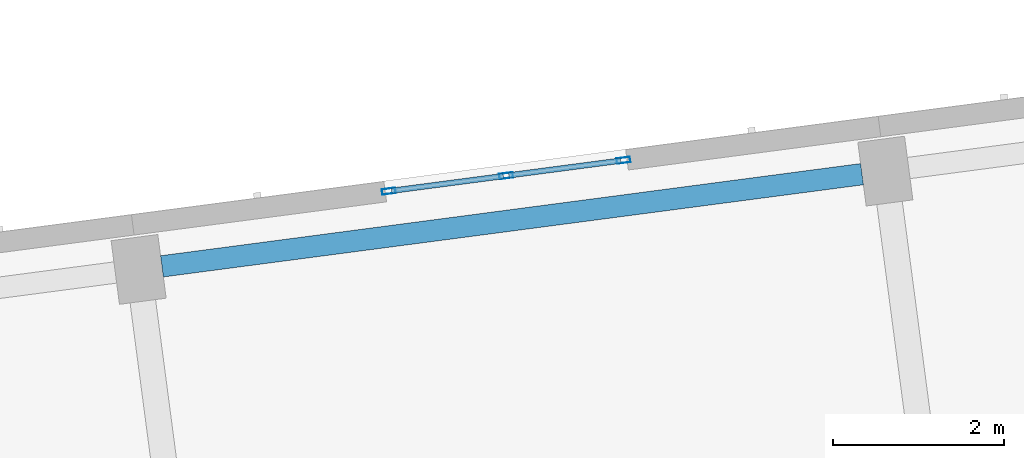
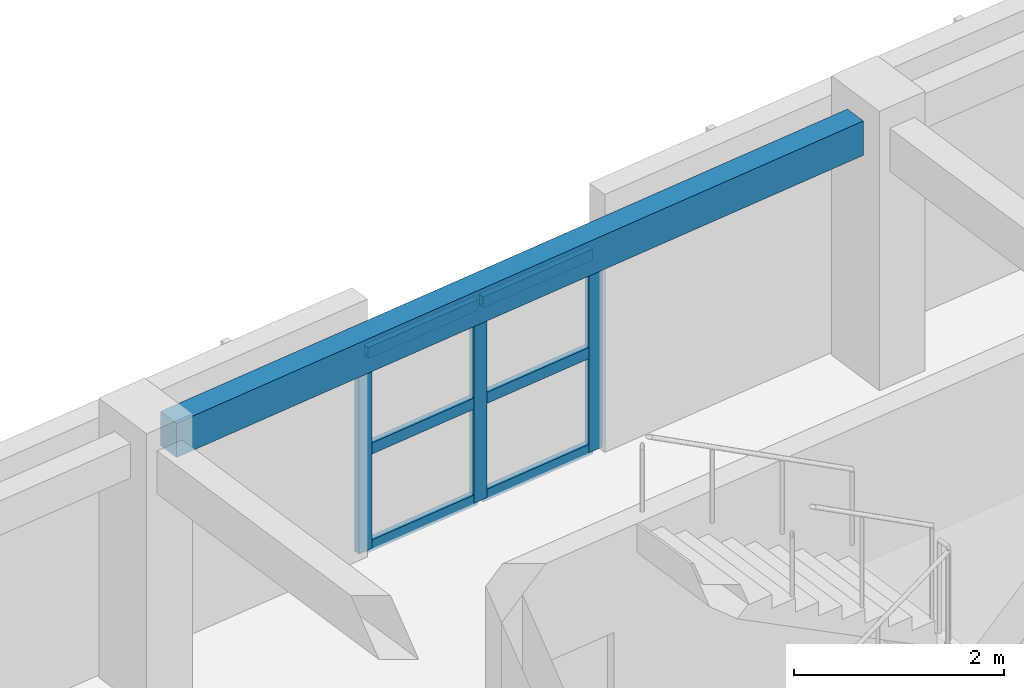
# One storey, part 3 of 66: 9 members, 1 beam, 1 element without a shape of its own.
"""IFC4 building model written with IfcOpenShell, lengths in metres."""

from ifc_helpers import new_model, si_unit, direction, frame, origin, origin_2d, place, context, subcontext, project, spatial, rectangle, hollow_rectangle, extrude, material, material_profile, profile_set, type_object, element, aggregate, save


model = new_model("IFC4")

# Units and contexts
model_context = context("Model", 3, precision=1e-05, world=origin(), true_north=direction((0.0, 1.0)))
body_context = subcontext(model_context, "Body", "Model", "MODEL_VIEW")
ifc_project = project(units=[si_unit("LENGTHUNIT", "METRE"), si_unit("AREAUNIT", "SQUARE_METRE"), si_unit("VOLUMEUNIT", "CUBIC_METRE"), si_unit("PLANEANGLEUNIT", "RADIAN"), si_unit("MASSUNIT", "GRAM", prefix="KILO")], contexts=[model_context])

# Site, building, storey
site_placement = place(None, origin())
site = spatial("IfcSite", under=ifc_project, at=site_placement, CompositionType="ELEMENT")
building_placement = place(site_placement, origin())
building = spatial("IfcBuilding", under=site, at=building_placement, Name="Kestramere Prow Commons", CompositionType="ELEMENT")
storey_placement = place(building_placement, frame((0.0, 0.0, 14.89990234375)))
storey = spatial("IfcBuildingStorey", under=building, at=storey_placement, Name="L04", CompositionType="ELEMENT", Elevation=14.89990234375)

# Curtain wall, members
ifc_material_1 = material(Name="Anodised Aluminium and Low-E Glass", Category="aluminium")
curtain_wall_type = type_object("IfcCurtainWallType", Name="CW-03 Glazed Curtain Wall 2830x2320", PredefinedType="USERDEFINED", material=ifc_material_1)
curtain_wall_placement = place(storey_placement, origin())
curtain_wall = element("IfcCurtainWall", 1, at=curtain_wall_placement, inside=storey, type_object=curtain_wall_type, Name="Block A L04 Stairwell Vertical Glazing 2", ObjectType="GLAZED CURTAIN WALL", PredefinedType="USERDEFINED")
ifc_material_2 = material(Name="Anodised Aluminium 6063-T6", Category="aluminium")
ifc_material_profile_1 = material_profile(ifc_material_2, hollow_rectangle(XDim=0.06494140625, YDim=0.159912109375, WallThickness=0.00390625, at=origin_2d()), Name="ALU-MUL 65x160")
ifc_profile_set_1 = profile_set([ifc_material_profile_1], Name="Anodised Aluminium 6063-T6")
member_type_1 = type_object("IfcMemberType", Name="CW-MUL-65x160", PredefinedType="MULLION", material=ifc_profile_set_1)
member_1_placement = place(storey_placement, frame((20.2373046875, 93.891845703125, 0.0), z_axis=(0.0, 0.0, 1.0), x_axis=(-0.13052614723, 0.991444867297, 0.0)))
member_1 = element("IfcMember", 2, at=member_1_placement, type_object=member_type_1, Name="CW-03 mullion 1", PredefinedType="MULLION", context=body_context, shape_type="SweptSolid", body=[
    extrude(hollow_rectangle(XDim=0.06494140625, YDim=0.159912109375, WallThickness=0.00390625, at=origin_2d()), origin(), (0.0, 0.0, 1.0), 2.320068359375),
])
member_2_placement = place(storey_placement, frame((21.60791015625, 94.072265625, 0.0), z_axis=(0.0, 0.0, 1.0), x_axis=(-0.13052614723, 0.991444867297, 0.0)))
member_2 = element("IfcMember", 3, at=member_2_placement, type_object=member_type_1, Name="CW-03 mullion 2", PredefinedType="MULLION", context=body_context, shape_type="SweptSolid", body=[
    extrude(hollow_rectangle(XDim=0.06494140625, YDim=0.159912109375, WallThickness=0.00390625, at=origin_2d()), origin(), (0.0, 0.0, 1.0), 2.320068359375),
])
member_3_placement = place(storey_placement, frame((22.978759765625, 94.252685546875, 0.0), z_axis=(0.0, 0.0, 1.0), x_axis=(-0.13052614723, 0.991444867297, 0.0)))
member_3 = element("IfcMember", 4, at=member_3_placement, type_object=member_type_1, Name="CW-03 mullion 3", PredefinedType="MULLION", context=body_context, shape_type="SweptSolid", body=[
    extrude(hollow_rectangle(XDim=0.06494140625, YDim=0.159912109375, WallThickness=0.00390625, at=origin_2d()), origin(), (0.0, 0.0, 1.0), 2.320068359375),
])
ifc_material_profile_2 = material_profile(ifc_material_2, hollow_rectangle(XDim=0.06494140625, YDim=0.1298828125, WallThickness=0.00390625, at=origin_2d()), Name="ALU-TRN 65x130")
ifc_profile_set_2 = profile_set([ifc_material_profile_2], Name="Anodised Aluminium 6063-T6")
member_type_2 = type_object("IfcMemberType", Name="CW-TRN-65x130", PredefinedType="USERDEFINED", material=ifc_profile_set_2)
member_4_placement = place(storey_placement, frame((20.26953125, 93.896240234375, 0.03271484375), z_axis=(0.991453033969, 0.130464100171, 0.0), x_axis=(-0.130464100171, 0.991453033969, 0.0)))
member_4 = element("IfcMember", 5, at=member_4_placement, type_object=member_type_2, Name="CW-03 transom 1.1", ObjectType="TRANSOM", PredefinedType="USERDEFINED", context=body_context, shape_type="SweptSolid", body=[
    extrude(hollow_rectangle(XDim=0.06494140625, YDim=0.1298828125, WallThickness=0.00390625, at=origin_2d()), origin(), (0.0, 0.0, 1.0), 1.3173828125),
])
member_5_placement = place(storey_placement, frame((20.26953125, 93.896240234375, 1.16015625), z_axis=(0.991453033969, 0.130464100171, 0.0), x_axis=(-0.130464100171, 0.991453033969, 0.0)))
member_5 = element("IfcMember", 6, at=member_5_placement, type_object=member_type_2, Name="CW-03 transom 1.2", ObjectType="TRANSOM", PredefinedType="USERDEFINED", context=body_context, shape_type="SweptSolid", body=[
    extrude(hollow_rectangle(XDim=0.06494140625, YDim=0.1298828125, WallThickness=0.00390625, at=origin_2d()), origin(), (0.0, 0.0, 1.0), 1.3173828125),
])
member_6_placement = place(storey_placement, frame((20.26953125, 93.896240234375, 2.28759765625), z_axis=(0.991453033969, 0.130464100171, 0.0), x_axis=(-0.130464100171, 0.991453033969, 0.0)))
member_6 = element("IfcMember", 7, at=member_6_placement, type_object=member_type_2, Name="CW-03 transom 1.3", ObjectType="TRANSOM", PredefinedType="USERDEFINED", context=body_context, shape_type="SweptSolid", body=[
    extrude(hollow_rectangle(XDim=0.06494140625, YDim=0.1298828125, WallThickness=0.00390625, at=origin_2d()), origin(), (0.0, 0.0, 1.0), 1.3173828125),
])
member_7_placement = place(storey_placement, frame((21.64013671875, 94.07666015625, 0.03271484375), z_axis=(0.991456187381, 0.130440133791, 0.0), x_axis=(-0.130440133791, 0.991456187381, 0.0)))
member_7 = element("IfcMember", 8, at=member_7_placement, type_object=member_type_2, Name="CW-03 transom 2.1", ObjectType="TRANSOM", PredefinedType="USERDEFINED", context=body_context, shape_type="SweptSolid", body=[
    extrude(hollow_rectangle(XDim=0.06494140625, YDim=0.1298828125, WallThickness=0.00390625, at=origin_2d()), origin(), (0.0, 0.0, 1.0), 1.317626953125),
])
member_8_placement = place(storey_placement, frame((21.64013671875, 94.07666015625, 1.16015625), z_axis=(0.991456187381, 0.130440133791, 0.0), x_axis=(-0.130440133791, 0.991456187381, 0.0)))
member_8 = element("IfcMember", 9, at=member_8_placement, type_object=member_type_2, Name="CW-03 transom 2.2", ObjectType="TRANSOM", PredefinedType="USERDEFINED", context=body_context, shape_type="SweptSolid", body=[
    extrude(hollow_rectangle(XDim=0.06494140625, YDim=0.1298828125, WallThickness=0.00390625, at=origin_2d()), origin(), (0.0, 0.0, 1.0), 1.317626953125),
])
member_9_placement = place(storey_placement, frame((21.64013671875, 94.07666015625, 2.28759765625), z_axis=(0.991456187381, 0.130440133791, 0.0), x_axis=(-0.130440133791, 0.991456187381, 0.0)))
member_9 = element("IfcMember", 10, at=member_9_placement, type_object=member_type_2, Name="CW-03 transom 2.3", ObjectType="TRANSOM", PredefinedType="USERDEFINED", context=body_context, shape_type="SweptSolid", body=[
    extrude(hollow_rectangle(XDim=0.06494140625, YDim=0.1298828125, WallThickness=0.00390625, at=origin_2d()), origin(), (0.0, 0.0, 1.0), 1.317626953125),
])
aggregate(curtain_wall, [member_1, member_2, member_3, member_4, member_5, member_6, member_7, member_8, member_9])

# Beam
ifc_material_3 = material(Name="Precast concrete C40/50", Category="concrete")
ifc_material_profile_3 = material_profile(ifc_material_3, rectangle(XDim=0.25, YDim=0.39990234375, at=origin_2d()), Name="PC-SP 250x400")
ifc_profile_set_3 = profile_set([ifc_material_profile_3], Name="Precast concrete C40/50")
beam_type = type_object("IfcBeamType", Name="SP-EXT-01 PC-SP 250x400", PredefinedType="SPANDREL", material=ifc_profile_set_3)
beam_placement = place(storey_placement, frame((17.5869140625, 93.013427734375, 2.800048828125), z_axis=(0.991443917843, 0.130533358852, 0.0), x_axis=(-0.130533358852, 0.991443917843, 0.0)))
element("IfcBeam", 11, at=beam_placement, inside=storey, type_object=beam_type, Name="Block A L04 Longitudinal Beam 4-2", PredefinedType="SPANDREL", context=body_context, shape_type="SweptSolid", body=[
    extrude(rectangle(XDim=0.25, YDim=0.39990234375, at=origin_2d()), origin(), (0.0, 0.0, 1.0), 8.25),
])

save(model, "model.ifc")
